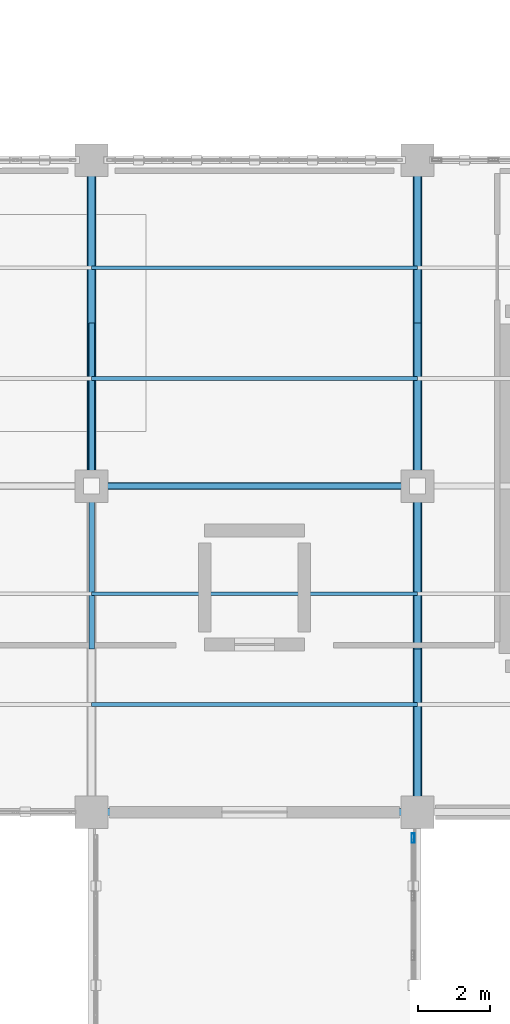
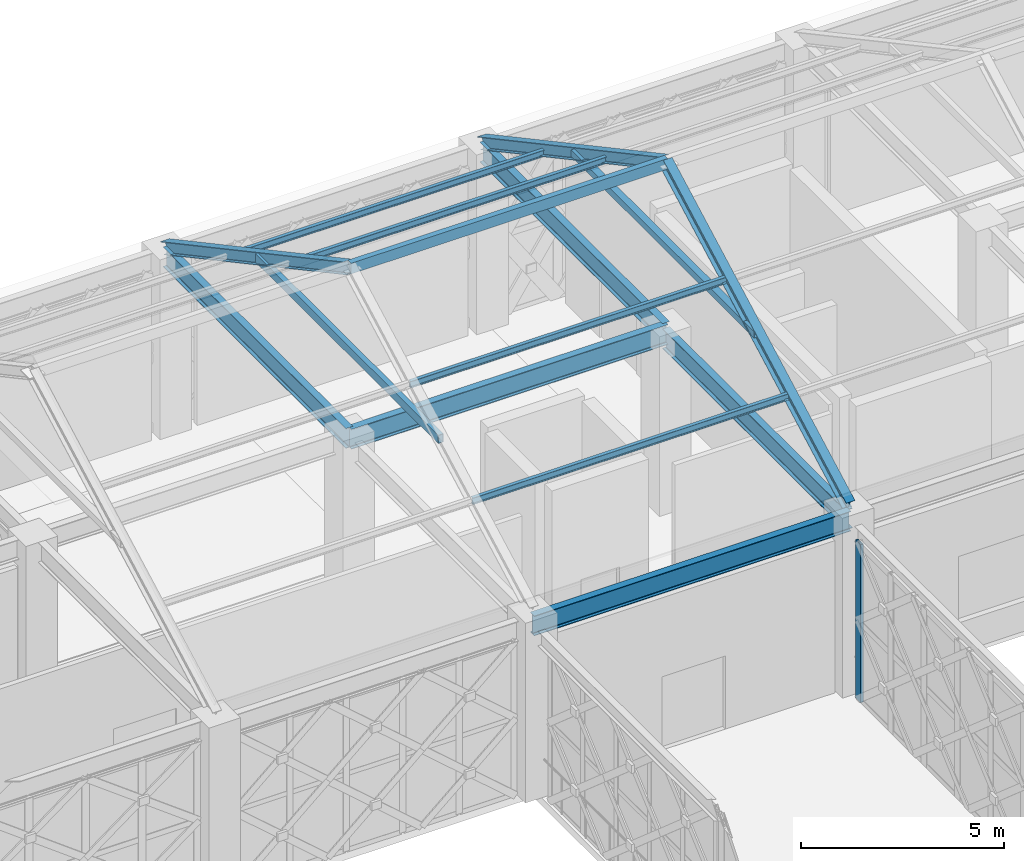
# One storey, part 59 of 166: 11 members, 5 beams, 1 element without a shape of its own.
"""IFC4 building model written with IfcOpenShell, lengths in metres."""

from ifc_helpers import new_model, si_unit, direction, frame, origin, origin_2d, place, context, subcontext, project, spatial, hollow_rectangle, i_section, extrude, material, material_profile, profile_set, type_object, element, aggregate, save


model = new_model("IFC4")

# Units and contexts
model_context = context("Model", 3, precision=1e-05, world=origin(), true_north=direction((0.0, 1.0)))
body_context = subcontext(model_context, "Body", "Model", "MODEL_VIEW")
ifc_project = project(units=[si_unit("LENGTHUNIT", "METRE"), si_unit("AREAUNIT", "SQUARE_METRE"), si_unit("VOLUMEUNIT", "CUBIC_METRE"), si_unit("PLANEANGLEUNIT", "RADIAN"), si_unit("MASSUNIT", "GRAM", prefix="KILO")], contexts=[model_context])

# Site, building, storey
site_placement = place(None, origin())
site = spatial("IfcSite", under=ifc_project, at=site_placement, CompositionType="ELEMENT")
building_placement = place(site_placement, origin())
building = spatial("IfcBuilding", under=site, at=building_placement, Name="Haizhuo Lancet Aquarium", CompositionType="ELEMENT")
storey_placement = place(building_placement, frame((0.0, 0.0, 5.39990234375)))
storey = spatial("IfcBuildingStorey", under=building, at=storey_placement, Name="L01", CompositionType="ELEMENT", Elevation=5.39990234375)

# Beams
ifc_material_1 = material(Name="Steel S355", Category="steel")
ifc_material_profile_1 = material_profile(ifc_material_1, i_section(OverallWidth=0.199951171875, OverallDepth=0.60009765625, WebThickness=0.010986328125, FlangeThickness=0.01708984375, FilletRadius=0.02197265625, at=origin_2d()), Name="HN 600x200x11x17")
ifc_profile_set_1 = profile_set([ifc_material_profile_1], Name="Steel S355")
beam_type = type_object("IfcBeamType", Name="BM-ST-HN600", PredefinedType="BEAM", material=ifc_profile_set_1)
for number, where, z_axis, x_axis, name in (
    (1, (-63.0, 9.0, 4.9501953125), (1.0, 0.0, 0.0), (0.0, 1.0, 0.0), "L01 V2 primary girder BM-L01-V2-010"),
    (2, (-63.0, 18.0, 5.10009765625), (0.0, 1.0, 0.0), (-1.0, 0.0, 0.0), "L01 V2 primary girder BM-L01-V2-011"),
    (3, (-63.0, 18.0, 5.10009765625), (1.0, 0.0, 0.0), (0.0, 1.0, 0.0), "L01 V2 primary girder BM-L01-V2-012"),
    (4, (-54.0, 9.0, 4.9501953125), (0.0, 1.0, 0.0), (-1.0, 0.0, 0.0), "L01 V2 primary girder BM-L01-V2-014"),
    (5, (-54.0, 18.0, 5.10009765625), (0.0, 1.0, 0.0), (-1.0, 0.0, 0.0), "L01 V2 primary girder BM-L01-V2-016"),
):
    element("IfcBeam", number, at=place(storey_placement, frame(where, z_axis=z_axis, x_axis=x_axis)), inside=storey, type_object=beam_type, Name=name, PredefinedType="BEAM", context=body_context, shape_type="SweptSolid", body=[
        extrude(i_section(OverallWidth=0.199951171875, OverallDepth=0.60009765625, WebThickness=0.010986328125, FlangeThickness=0.01708984375, FilletRadius=0.02197265625, at=origin_2d()), origin(), (0.0, 0.0, 1.0), 9.0),
    ])

# Curtain wall, member
ifc_material_2 = material(Name="Aluminium 6063-T6", Category="aluminium")
curtain_wall_type = type_object("IfcCurtainWallType", Name="CWO-8200x4750", PredefinedType="NOTDEFINED", material=ifc_material_2)
curtain_wall_placement = place(storey_placement, origin())
curtain_wall = element("IfcCurtainWall", 6, at=curtain_wall_placement, inside=storey, type_object=curtain_wall_type, Name="L01 curtain wall CW-SB-01-E2", PredefinedType="NOTDEFINED")
ifc_material_profile_2 = material_profile(ifc_material_2, hollow_rectangle(XDim=0.080078125, YDim=0.260009765625, WallThickness=0.0048828125, at=origin_2d()), Name="ALU-M 80x260x5")
ifc_profile_set_2 = profile_set([ifc_material_profile_2], Name="Aluminium 6063-T6")
member_type_1 = type_object("IfcMemberType", Name="CW-MUL-3", PredefinedType="MULLION", material=ifc_profile_set_2)
member_1_placement = place(storey_placement, frame((-54.1201171875, 8.280029296875, 0.0), z_axis=(0.0, 0.0, 1.0), x_axis=(1.0, 0.0, 0.0)))
member_1 = element("IfcMember", 7, at=member_1_placement, type_object=member_type_1, Name="CWO-82x47 mullion 1", PredefinedType="MULLION", context=body_context, shape_type="SweptSolid", body=[
    extrude(hollow_rectangle(XDim=0.080078125, YDim=0.260009765625, WallThickness=0.0048828125, at=origin_2d()), origin(), (0.0, 0.0, 1.0), 4.75),
])
aggregate(curtain_wall, [member_1])

# Members
ifc_material_profile_3 = material_profile(ifc_material_1, hollow_rectangle(XDim=0.159912109375, YDim=0.320068359375, WallThickness=0.010009765625, at=origin_2d()), Name="RHS 160x320x10")
ifc_profile_set_3 = profile_set([ifc_material_profile_3], Name="Steel S355")
member_type_2 = type_object("IfcMemberType", Name="MEM-CH-RHS160x320", PredefinedType="CHORD", material=ifc_profile_set_3)
member_2_placement = place(storey_placement, frame((-63.0, 18.0, 10.216064453125), z_axis=(1.0, 0.0, 0.0), x_axis=(0.0, 1.0, 0.0)))
element("IfcMember", 8, at=member_2_placement, inside=storey, type_object=member_type_2, Name="V2 roof ridge chord 2", PredefinedType="CHORD", context=body_context, shape_type="SweptSolid", body=[
    extrude(hollow_rectangle(XDim=0.159912109375, YDim=0.320068359375, WallThickness=0.010009765625, at=origin_2d()), origin(), (0.0, 0.0, 1.0), 9.0),
])
ifc_material_profile_4 = material_profile(ifc_material_1, hollow_rectangle(XDim=0.14990234375, YDim=0.25, WallThickness=0.010009765625, at=origin_2d()), Name="RHS 150x250x10")
ifc_profile_set_4 = profile_set([ifc_material_profile_4], Name="Steel S355")
member_type_3 = type_object("IfcMemberType", Name="MEM-CL-RHS150x250", PredefinedType="COLLAR", material=ifc_profile_set_4)
member_3_placement = place(storey_placement, frame((-63.0, 13.5, 7.793212890625), z_axis=(0.0, 1.0, 0.0), x_axis=(-1.0, 0.0, 0.0)))
element("IfcMember", 9, at=member_3_placement, inside=storey, type_object=member_type_3, Name="V2 Gothic roof collar tie 2", PredefinedType="COLLAR", context=body_context, shape_type="SweptSolid", body=[
    extrude(hollow_rectangle(XDim=0.14990234375, YDim=0.25, WallThickness=0.010009765625, at=origin_2d()), origin(), (0.0, 0.0, 1.0), 9.0),
])
ifc_material_profile_5 = material_profile(ifc_material_1, hollow_rectangle(XDim=0.199951171875, YDim=0.199951171875, WallThickness=0.010009765625, at=origin_2d()), Name="SHS 200x200x10")
ifc_profile_set_5 = profile_set([ifc_material_profile_5], Name="Steel S355")
member_type_4 = type_object("IfcMemberType", Name="MEM-CL-SHS200", PredefinedType="COLLAR", material=ifc_profile_set_5)
member_4_placement = place(storey_placement, frame((-54.0, 13.5, 7.793212890625), z_axis=(0.0, 1.0, 0.0), x_axis=(-1.0, 0.0, 0.0)))
element("IfcMember", 10, at=member_4_placement, inside=storey, type_object=member_type_4, Name="V2 Gothic roof collar tie 3", PredefinedType="COLLAR", context=body_context, shape_type="SweptSolid", body=[
    extrude(hollow_rectangle(XDim=0.199951171875, YDim=0.199951171875, WallThickness=0.010009765625, at=origin_2d()), origin(), (0.0, 0.0, 1.0), 9.0),
])
ifc_material_profile_6 = material_profile(ifc_material_1, i_section(OverallWidth=0.10009765625, OverallDepth=0.199951171875, WebThickness=0.005615234375, FlangeThickness=0.008056640625, FilletRadius=0.008056640625, at=origin_2d()), Name="HN 200x100x5.5x8")
ifc_profile_set_6 = profile_set([ifc_material_profile_6], Name="Steel S355")
member_type_5 = type_object("IfcMemberType", Name="MEM-PR-HN200", PredefinedType="PURLIN", material=ifc_profile_set_6)
for number, where, z_axis, x_axis, name in (
    (11, (-63.0, 11.969970703125, 6.859130859375), (1.0, 0.0, 0.0), (0.0, 1.0, 0.0), "V2 south roof purlin 2"),
    (12, (-63.0, 24.030029296875, 6.859130859375), (1.0, 0.0, 0.0), (0.0, 1.0, 0.0), "V2 north roof purlin 2"),
    (13, (-63.0, 15.030029296875, 8.507080078125), (1.0, 0.0, 0.0), (0.0, 1.0, 0.0), "V2 south roof purlin 2"),
    (14, (-63.0, 20.969970703125, 8.507080078125), (1.0, 0.0, 0.0), (0.0, 1.0, 0.0), "V2 north roof purlin 2"),
):
    element("IfcMember", number, at=place(storey_placement, frame(where, z_axis=z_axis, x_axis=x_axis)), inside=storey, type_object=member_type_5, Name=name, PredefinedType="PURLIN", context=body_context, shape_type="SweptSolid", body=[
        extrude(i_section(OverallWidth=0.10009765625, OverallDepth=0.199951171875, WebThickness=0.005615234375, FlangeThickness=0.008056640625, FilletRadius=0.008056640625, at=origin_2d()), origin(), (0.0, 0.0, 1.0), 9.0),
    ])
ifc_material_profile_7 = material_profile(ifc_material_1, i_section(OverallWidth=0.25, OverallDepth=0.340087890625, WebThickness=0.009033203125, FlangeThickness=0.013916015625, FilletRadius=0.01806640625, at=origin_2d()), Name="HM 340x250x9x14")
ifc_profile_set_7 = profile_set([ifc_material_profile_7], Name="Steel S355")
member_type_6 = type_object("IfcMemberType", Name="MEM-RF-HM340", PredefinedType="RAFTER", material=ifc_profile_set_7)
for number, where, z_axis, x_axis, name in (
    (15, (-63.0, 27.0, 5.3701171875), (0.0, -0.880479536064, 0.474084155581), (1.0, 0.0, 0.0), "V2 Gothic pitched roof north rafter 2"),
    (16, (-54.0, 9.0, 5.3701171875), (0.0, 0.880479536064, 0.474084155581), (-1.0, 0.0, 0.0), "V2 Gothic pitched roof south rafter 3"),
    (17, (-54.0, 27.0, 5.3701171875), (0.0, -0.880479536064, 0.474084155581), (1.0, 0.0, 0.0), "V2 Gothic pitched roof north rafter 3"),
):
    element("IfcMember", number, at=place(storey_placement, frame(where, z_axis=z_axis, x_axis=x_axis)), inside=storey, type_object=member_type_6, Name=name, PredefinedType="RAFTER", context=body_context, shape_type="SweptSolid", body=[
        extrude(i_section(OverallWidth=0.25, OverallDepth=0.340087890625, WebThickness=0.009033203125, FlangeThickness=0.013916015625, FilletRadius=0.01806640625, at=origin_2d()), origin(), (0.0, 0.0, 1.0), 10.2216796875),
    ])

save(model, "model.ifc")
